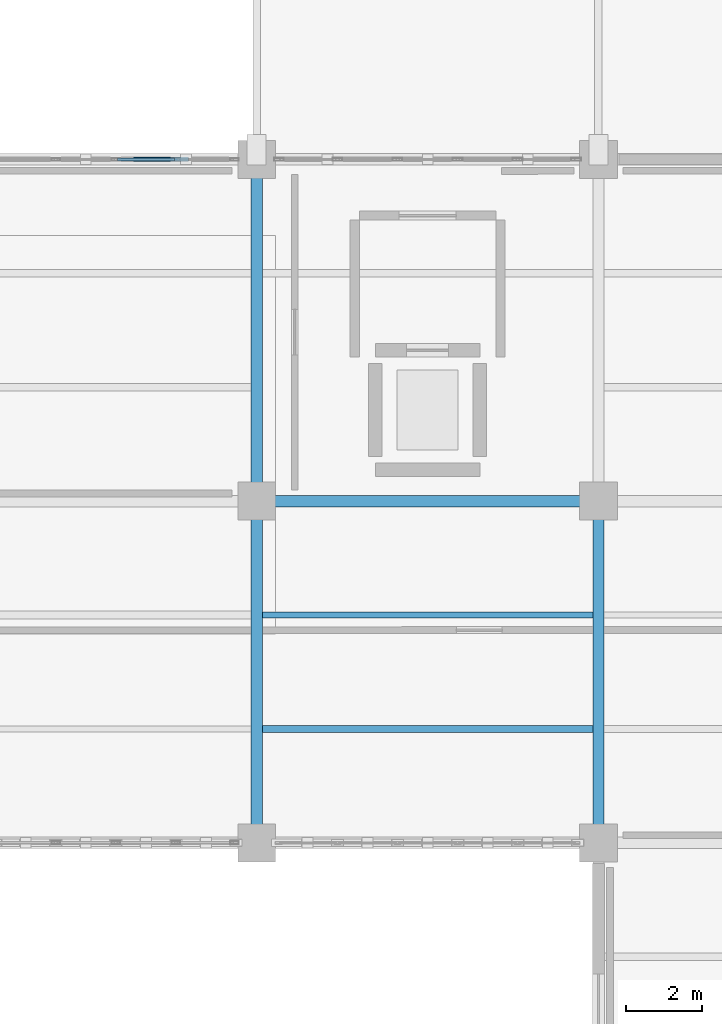
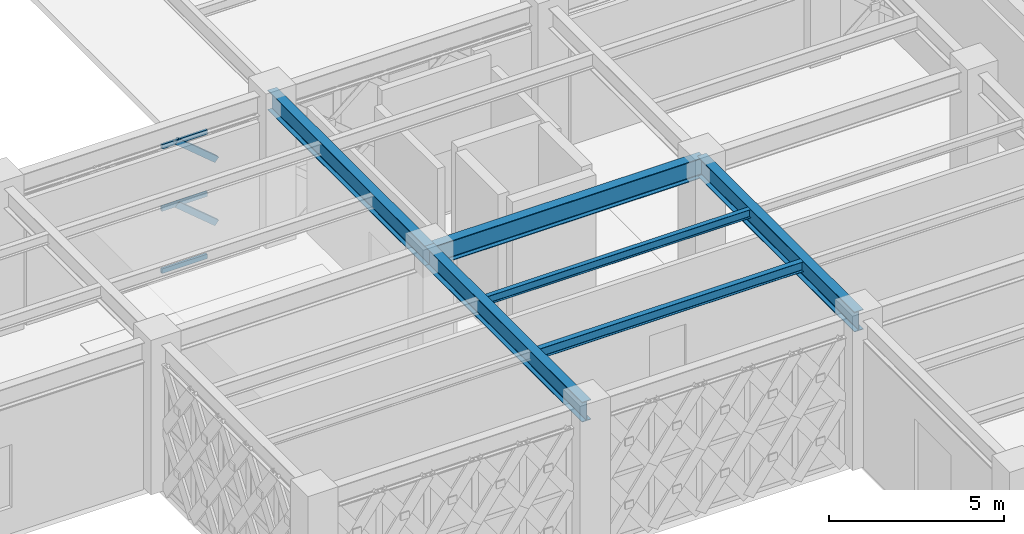
# One storey, part 15 of 140: 6 beams, 5 members, 1 element without a shape of its own.
"""IFC4 building model written with IfcOpenShell, lengths in metres."""

from ifc_helpers import new_model, si_unit, direction, frame, origin, origin_2d, place, context, subcontext, project, spatial, hollow_rectangle, i_section, extrude, material, material_profile, profile_set, type_object, element, aggregate, save


model = new_model("IFC4")

# Units and contexts
model_context = context("Model", 3, precision=1e-05, world=origin(), true_north=direction((0.0, 1.0)))
body_context = subcontext(model_context, "Body", "Model", "MODEL_VIEW")
ifc_project = project(units=[si_unit("LENGTHUNIT", "METRE"), si_unit("AREAUNIT", "SQUARE_METRE"), si_unit("VOLUMEUNIT", "CUBIC_METRE"), si_unit("PLANEANGLEUNIT", "RADIAN"), si_unit("MASSUNIT", "GRAM", prefix="KILO")], contexts=[model_context])

# Site, building, storey
site_placement = place(None, origin())
site = spatial("IfcSite", under=ifc_project, at=site_placement, CompositionType="ELEMENT")
building_placement = place(site_placement, origin())
building = spatial("IfcBuilding", under=site, at=building_placement, Name="Haizhuo Lancet Aquarium", CompositionType="ELEMENT")
storey_placement = place(building_placement, origin())
storey = spatial("IfcBuildingStorey", under=building, at=storey_placement, Name="L00", CompositionType="ELEMENT", Elevation=0.0)

# Beams
ifc_material_1 = material(Name="Steel S355", Category="steel")
ifc_material_profile_1 = material_profile(ifc_material_1, i_section(OverallWidth=0.300048828125, OverallDepth=0.699951171875, WebThickness=0.012939453125, FlangeThickness=0.02392578125, FilletRadius=0.02587890625, at=origin_2d()), Name="HN 700x300x13x24")
ifc_profile_set_1 = profile_set([ifc_material_profile_1], Name="Steel S355")
beam_type_1 = type_object("IfcBeamType", Name="BM-ST-HN700", PredefinedType="BEAM", material=ifc_profile_set_1)
for number, where, z_axis, x_axis, name in (
    (1, (-63.0, -27.0, 4.77001953125), (0.0, 1.0, 0.0), (-1.0, 0.0, 0.0), "L00 V6 primary girder BM-L00-V6-009"),
    (2, (-63.0, -18.0, 4.77001953125), (0.0, 1.0, 0.0), (-1.0, 0.0, 0.0), "L00 V6 primary girder BM-L00-V6-011"),
    (3, (-63.0, -18.0, 4.77001953125), (1.0, 0.0, 0.0), (0.0, 1.0, 0.0), "L00 V6 primary girder BM-L00-V6-012"),
    (4, (-54.0, -27.0, 4.77001953125), (0.0, 1.0, 0.0), (-1.0, 0.0, 0.0), "L00 V6 primary girder BM-L00-V6-016"),
):
    element("IfcBeam", number, at=place(storey_placement, frame(where, z_axis=z_axis, x_axis=x_axis)), inside=storey, type_object=beam_type_1, Name=name, PredefinedType="BEAM", context=body_context, shape_type="SweptSolid", body=[
        extrude(i_section(OverallWidth=0.300048828125, OverallDepth=0.699951171875, WebThickness=0.012939453125, FlangeThickness=0.02392578125, FilletRadius=0.02587890625, at=origin_2d()), origin(), (0.0, 0.0, 1.0), 9.0),
    ])

# Curtain wall, members
ifc_material_2 = material(Name="Aluminium 6063-T6", Category="aluminium")
curtain_wall_type = type_object("IfcCurtainWallType", Name="CWO-7910x4420", PredefinedType="NOTDEFINED", material=ifc_material_2)
curtain_wall_placement = place(storey_placement, origin())
curtain_wall = element("IfcCurtainWall", 5, at=curtain_wall_placement, inside=storey, type_object=curtain_wall_type, Name="L00 curtain wall CW-V6-L00-194", PredefinedType="NOTDEFINED")
ifc_material_profile_2 = material_profile(ifc_material_2, hollow_rectangle(XDim=0.074951171875, YDim=0.159912109375, WallThickness=0.00390625, at=origin_2d()), Name="ALU-T 75x160x4")
ifc_profile_set_2 = profile_set([ifc_material_profile_2], Name="Aluminium 6063-T6")
member_type_1 = type_object("IfcMemberType", Name="CW-TRN-2", PredefinedType="NOTDEFINED", material=ifc_profile_set_2)
member_1_placement = place(storey_placement, frame((-66.6708984375, -9.0, 0.037109375), z_axis=(1.0, 0.0, 0.0), x_axis=(0.0, 1.0, 0.0)))
member_1 = element("IfcMember", 6, at=member_1_placement, type_object=member_type_1, Name="CWO-79x44 transom 4.1", ObjectType="TRANSOM", PredefinedType="USERDEFINED", context=body_context, shape_type="SweptSolid", body=[
    extrude(hollow_rectangle(XDim=0.074951171875, YDim=0.159912109375, WallThickness=0.00390625, at=origin_2d()), origin(), (0.0, 0.0, 1.0), 1.505859375),
])
member_2_placement = place(storey_placement, frame((-66.6708984375, -9.0, 2.2099609375), z_axis=(1.0, 0.0, 0.0), x_axis=(0.0, 1.0, 0.0)))
member_2 = element("IfcMember", 7, at=member_2_placement, type_object=member_type_1, Name="CWO-79x44 transom 4.2", ObjectType="TRANSOM", PredefinedType="USERDEFINED", context=body_context, shape_type="SweptSolid", body=[
    extrude(hollow_rectangle(XDim=0.074951171875, YDim=0.159912109375, WallThickness=0.00390625, at=origin_2d()), origin(), (0.0, 0.0, 1.0), 1.505859375),
])
member_3_placement = place(storey_placement, frame((-66.6708984375, -9.0, 4.383056640625), z_axis=(1.0, 0.0, 0.0), x_axis=(0.0, 1.0, 0.0)))
member_3 = element("IfcMember", 8, at=member_3_placement, type_object=member_type_1, Name="CWO-79x44 transom 4.3", ObjectType="TRANSOM", PredefinedType="USERDEFINED", context=body_context, shape_type="SweptSolid", body=[
    extrude(hollow_rectangle(XDim=0.074951171875, YDim=0.159912109375, WallThickness=0.00390625, at=origin_2d()), origin(), (0.0, 0.0, 1.0), 1.505859375),
])
aggregate(curtain_wall, [member_1, member_2, member_3])

# Beams
ifc_material_profile_3 = material_profile(ifc_material_1, i_section(OverallWidth=0.14990234375, OverallDepth=0.300048828125, WebThickness=0.006591796875, FlangeThickness=0.009033203125, FilletRadius=0.012939453125, at=origin_2d()), Name="HN 300x150x6.5x9")
ifc_profile_set_3 = profile_set([ifc_material_profile_3], Name="Steel S355")
beam_type_2 = type_object("IfcBeamType", Name="JST-ST-HN300", PredefinedType="JOIST", material=ifc_profile_set_3)
beam_1_placement = place(storey_placement, frame((-62.85009765625, -21.0, 4.969970703125), z_axis=(1.0, 0.0, 0.0), x_axis=(0.0, 1.0, 0.0)))
element("IfcBeam", 9, at=beam_1_placement, inside=storey, type_object=beam_type_2, Name="L00 V6 secondary floor joist 8", PredefinedType="JOIST", context=body_context, shape_type="SweptSolid", body=[
    extrude(i_section(OverallWidth=0.14990234375, OverallDepth=0.300048828125, WebThickness=0.006591796875, FlangeThickness=0.009033203125, FilletRadius=0.012939453125, at=origin_2d()), origin(), (0.0, 0.0, 1.0), 8.7001953125),
])
ifc_material_profile_4 = material_profile(ifc_material_1, i_section(OverallWidth=0.175048828125, OverallDepth=0.35009765625, WebThickness=0.007080078125, FlangeThickness=0.010986328125, FilletRadius=0.013916015625, at=origin_2d()), Name="HN 350x175x7x11")
ifc_profile_set_4 = profile_set([ifc_material_profile_4], Name="Steel S355")
beam_type_3 = type_object("IfcBeamType", Name="JST-ST-HN350", PredefinedType="JOIST", material=ifc_profile_set_4)
beam_2_placement = place(storey_placement, frame((-62.85009765625, -24.0, 4.945068359375), z_axis=(1.0, 0.0, 0.0), x_axis=(0.0, 1.0, 0.0)))
element("IfcBeam", 10, at=beam_2_placement, inside=storey, type_object=beam_type_3, Name="L00 V6 secondary floor joist 7", PredefinedType="JOIST", context=body_context, shape_type="SweptSolid", body=[
    extrude(i_section(OverallWidth=0.175048828125, OverallDepth=0.35009765625, WebThickness=0.007080078125, FlangeThickness=0.010986328125, FilletRadius=0.013916015625, at=origin_2d()), origin(), (0.0, 0.0, 1.0), 8.7001953125),
])

# Members
ifc_material_profile_5 = material_profile(ifc_material_1, hollow_rectangle(XDim=0.1201171875, YDim=0.199951171875, WallThickness=0.008056640625, at=origin_2d()), Name="RHS 120x200x8")
ifc_profile_set_5 = profile_set([ifc_material_profile_5], Name="Steel S355")
member_type_2 = type_object("IfcMemberType", Name="MEM-LB-RHS120x200", PredefinedType="BRACE", material=ifc_profile_set_5)
for number, where, z_axis, x_axis, name in (
    (11, (-64.864013671875, -9.0, 1.10498046875), (-0.766286230908, 0.0, 0.642499348109), (0.0, -1.0, 0.0), "Gothic lancet split diagonal brace CW-V6-L00-194 5B2"),
    (12, (-64.864013671875, -9.0, 3.31494140625), (-0.766286230908, 0.0, 0.642499348109), (0.0, -1.0, 0.0), "Gothic lancet split diagonal brace CW-V6-L00-194 6B2"),
):
    element("IfcMember", number, at=place(storey_placement, frame(where, z_axis=z_axis, x_axis=x_axis)), inside=storey, type_object=member_type_2, Name=name, PredefinedType="BRACE", context=body_context, shape_type="SweptSolid", body=[
        extrude(hollow_rectangle(XDim=0.1201171875, YDim=0.199951171875, WallThickness=0.008056640625, at=origin_2d()), origin(), (0.0, 0.0, 1.0), 1.7197265625),
    ])

save(model, "model.ifc")
